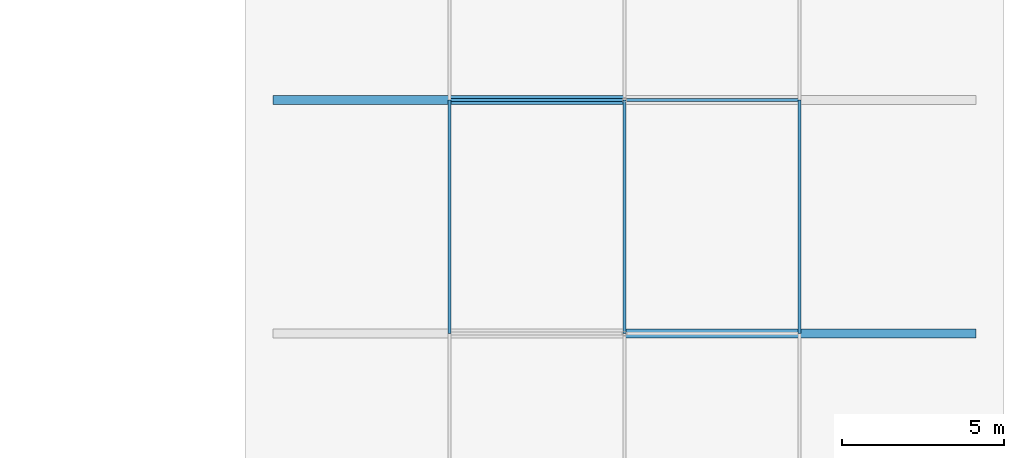
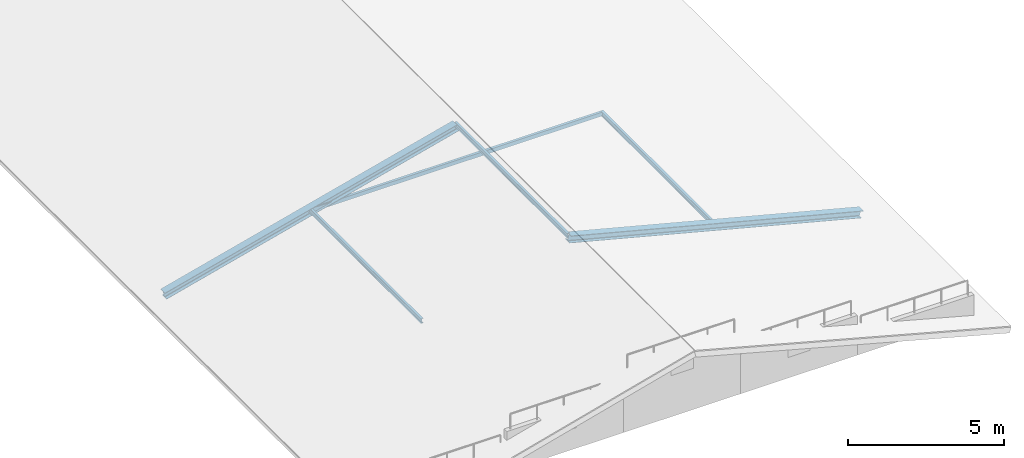
# One storey, part 11 of 40: 6 members.
"""IFC4 building model written with IfcOpenShell, lengths in metres."""

import ifcopenshell
import ifcopenshell.guid

model = None  # the IFC model being written
_history = None  # IfcOwnerHistory: only IFC2X3 demands one
_inside = {}  # id of a spatial element -> (the spatial element, [elements in it])
_under = {}  # id of a project, library or spatial element -> (it, [spatial elements below it])
_declared = {}  # id of a project -> (the project, [libraries it declares])
_typed = {}  # id of a type object -> (the type object, [elements of that type])
_made_of = {}  # id of a material, layer set ... -> (it, [elements and type objects made of it])


def new_model(schema):
    """Start an empty IFC model of exactly this schema.

    Asked for "IFC4X3", IfcOpenShell would pick the latest addendum, in which some entities
    have other attributes; the version numbers below select the first issue.
    IFC2X3 requires an IfcOwnerHistory on every rooted entity: one is made here for all.
    """
    global model, _history
    if schema == "IFC4X3":
        model = ifcopenshell.file(schema_version=(4, 3, 0, 0))
    else:
        model = ifcopenshell.file(schema=schema)
    _inside.clear()
    _under.clear()
    _declared.clear()
    _typed.clear()
    _made_of.clear()
    _history = None
    if model.schema == "IFC2X3":
        org = make("IfcOrganization", Name="unknown")
        user = make(
            "IfcPersonAndOrganization",
            ThePerson=make("IfcPerson", FamilyName="unknown"),
            TheOrganization=org,
        )
        app = make(
            "IfcApplication",
            ApplicationDeveloper=org,
            Version="unknown",
            ApplicationFullName="unknown",
            ApplicationIdentifier="unknown",
        )
        _history = make(
            "IfcOwnerHistory",
            OwningUser=user,
            OwningApplication=app,
            ChangeAction="ADDED",
            CreationDate=0,
        )
    return model


def make(cls, **values):
    """One entity of the class cls with the attributes given. An attribute that is None is left unset."""
    return model.create_entity(
        cls, **{name: value for name, value in values.items() if value is not None}
    )


def rooted(cls, **values):
    """An entity with a GlobalId (a new one), such as an element, a storey or a relation."""
    return make(cls, GlobalId=ifcopenshell.guid.new(), OwnerHistory=_history, **values)


def si_unit(unit_type, name, prefix=None):
    """IfcSIUnit, for example si_unit("LENGTHUNIT", "METRE", prefix="MILLI")."""
    return make("IfcSIUnit", UnitType=unit_type, Prefix=prefix, Name=name)


def assignment(units):
    """IfcUnitAssignment: the units of a project."""
    return None if units is None else make("IfcUnitAssignment", Units=units)


def point(xyz):
    """IfcCartesianPoint."""
    return None if xyz is None else make("IfcCartesianPoint", Coordinates=xyz)


def direction(xyz):
    """IfcDirection."""
    return None if xyz is None else make("IfcDirection", DirectionRatios=xyz)


def frame(location, z_axis=None, x_axis=None):
    """IfcAxis2Placement3D, a coordinate frame: its origin and axes. An axis left out is left unset."""
    return make(
        "IfcAxis2Placement3D",
        Location=point(location),
        Axis=direction(z_axis),
        RefDirection=direction(x_axis),
    )


def frame_2d(location, x_axis=None):
    """IfcAxis2Placement2D, a coordinate frame in the plane: its origin and x axis."""
    return make(
        "IfcAxis2Placement2D", Location=point(location), RefDirection=direction(x_axis)
    )


def origin():
    """The frame at (0, 0, 0) with its axes left unset."""
    return frame((0.0, 0.0, 0.0))


def origin_2d():
    """The frame at (0, 0) in the plane with its x axis left unset."""
    return frame_2d((0.0, 0.0))


def place(relative_to, where):
    """IfcLocalPlacement: puts the frame where relative to a parent placement (None: the world)."""
    return make(
        "IfcLocalPlacement", PlacementRelTo=relative_to, RelativePlacement=where
    )


def context(
    kind, dimensions, precision=None, world=None, true_north=None, identifier=None
):
    """IfcGeometricRepresentationContext, for example the 3D "Model" context."""
    return make(
        "IfcGeometricRepresentationContext",
        ContextIdentifier=identifier,
        ContextType=kind,
        CoordinateSpaceDimension=dimensions,
        Precision=precision,
        WorldCoordinateSystem=world,
        TrueNorth=true_north,
    )


def subcontext(parent, identifier, kind, view, scale=None):
    """IfcGeometricRepresentationSubContext, for example "Body" below "Model"."""
    return make(
        "IfcGeometricRepresentationSubContext",
        ContextIdentifier=identifier,
        ContextType=kind,
        ParentContext=parent,
        TargetScale=scale,
        TargetView=view,
    )


def project(units=None, contexts=None):
    """IfcProject with its units and contexts."""
    return rooted(
        "IfcProject",
        Name="project",
        RepresentationContexts=contexts,
        UnitsInContext=assignment(units),
    )


def spatial(cls, under=None, at=None, **own):
    """A site, building, storey or space (cls), placed at a placement, below another one or the project."""
    s = rooted(cls, ObjectPlacement=at, **own)
    if under is not None:
        _under.setdefault(under.id(), (under, []))[1].append(s)
    return s


def profile(cls, at=None, kind="AREA", **sizes):
    """A parametric profile (cls). Its sizes go by their IFC names, for example OverallWidth=200.0."""
    return make(cls, ProfileType=kind, Position=at, **sizes)


def hollow_rectangle(**sizes):
    """IfcRectangleHollowProfileDef."""
    return profile("IfcRectangleHollowProfileDef", **sizes)


def i_section(**sizes):
    """IfcIShapeProfileDef."""
    return profile("IfcIShapeProfileDef", **sizes)


def extrude(swept, where, along, depth):
    """IfcExtrudedAreaSolid: the profile swept, set in the frame where, extruded along a direction by depth."""
    return make(
        "IfcExtrudedAreaSolid",
        SweptArea=swept,
        Position=where,
        ExtrudedDirection=direction(along),
        Depth=depth,
    )


def shape(context_of_items, identifier, shape_type, items):
    """IfcShapeRepresentation: the items that make up one representation, for example the "Body"."""
    return make(
        "IfcShapeRepresentation",
        ContextOfItems=context_of_items,
        RepresentationIdentifier=identifier,
        RepresentationType=shape_type,
        Items=items,
    )


def material(Name=None, Category=None):
    """IfcMaterial."""
    return make("IfcMaterial", Name=Name, Category=Category)


def material_profile(
    of_material, cross_section, Name=None, Category=None, Priority=None
):
    """IfcMaterialProfile: a cross section and its material."""
    return make(
        "IfcMaterialProfile",
        Name=Name,
        Material=of_material,
        Profile=cross_section,
        Priority=Priority,
        Category=Category,
    )


def profile_set(profiles, Name=None, composite=None):
    """IfcMaterialProfileSet."""
    return make(
        "IfcMaterialProfileSet",
        Name=Name,
        MaterialProfiles=profiles,
        CompositeProfile=composite,
    )


def made_of(thing, what):
    """Note that an element or type object is made of a material, layer set ...; save() writes the relation."""
    if what is not None:
        _made_of.setdefault(what.id(), (what, []))[1].append(thing)
    return thing


def type_object(cls, material=None, **own):
    """A type object (cls), such as IfcWallType, which elements share."""
    return made_of(rooted(cls, **own), material)


def element(
    cls,
    number,
    at=None,
    inside=None,
    cuts=None,
    type_object=None,
    material=None,
    context=None,
    identifier="Body",
    shape_type=None,
    held_by="IfcProductDefinitionShape",
    body=None,
    shapes=None,
    **own,
):
    """One element of the class cls, such as IfcWall. Its Tag is "e" and its number.

    at: its placement. inside: the storey or other place that contains it. cuts: it is an
    opening in that element (IfcRelVoidsElement). A single representation is given by context,
    identifier, shape_type and body (its items); several are given by shapes. held_by: the class
    of the entity that holds the representations. save() writes the other relations.
    """
    e = rooted(cls, Tag="e%d" % number, ObjectPlacement=at, **own)
    if body is not None:
        shapes = [shape(context, identifier, shape_type, body)]
    if shapes is not None:
        e.Representation = make(held_by, Representations=shapes)
    if inside is not None:
        _inside.setdefault(inside.id(), (inside, []))[1].append(e)
    if cuts is not None:
        rooted(
            "IfcRelVoidsElement", RelatingBuildingElement=cuts, RelatedOpeningElement=e
        )
    if type_object is not None:
        _typed.setdefault(type_object.id(), (type_object, []))[1].append(e)
    return made_of(e, material)


def aggregate(whole, parts):
    """IfcRelAggregates: a whole, such as a stair, and the parts it consists of."""
    return rooted("IfcRelAggregates", RelatingObject=whole, RelatedObjects=parts)


def save(model, path):
    """Write the relations noted so far, then the file.

    IfcRelAggregates (storeys below a building ...), IfcRelContainedInSpatialStructure (elements
    in a storey), IfcRelDefinesByType, IfcRelAssociatesMaterial and IfcRelDeclares: one each for
    every whole, place, type object, material and project.
    """
    for whole, parts in _under.values():
        aggregate(whole, parts)
    for where, things in _inside.values():
        rooted(
            "IfcRelContainedInSpatialStructure",
            RelatedElements=things,
            RelatingStructure=where,
        )
    for kind, things in _typed.values():
        rooted("IfcRelDefinesByType", RelatedObjects=things, RelatingType=kind)
    for what, things in _made_of.values():
        rooted("IfcRelAssociatesMaterial", RelatedObjects=things, RelatingMaterial=what)
    for by, libraries in _declared.values():
        rooted("IfcRelDeclares", RelatingContext=by, RelatedDefinitions=libraries)
    model.write(path)


model = new_model("IFC4")

# Units and contexts
model_context = context("Model", 3, precision=1e-05, world=origin(), true_north=direction((0.0, 1.0)))
body_context = subcontext(model_context, "Body", "Model", "MODEL_VIEW")
ifc_project = project(units=[si_unit("LENGTHUNIT", "METRE"), si_unit("AREAUNIT", "SQUARE_METRE"), si_unit("VOLUMEUNIT", "CUBIC_METRE"), si_unit("PLANEANGLEUNIT", "RADIAN"), si_unit("MASSUNIT", "GRAM", prefix="KILO"), si_unit("THERMODYNAMICTEMPERATUREUNIT", "KELVIN"), si_unit("POWERUNIT", "WATT")], contexts=[model_context])

# Site, building, storey
site_placement = place(None, origin())
site = spatial("IfcSite", under=ifc_project, at=site_placement, CompositionType="ELEMENT")
building_placement = place(site_placement, origin())
building = spatial("IfcBuilding", under=site, at=building_placement, Name="Tavuni Mirador Residences", CompositionType="ELEMENT")
storey_placement = place(building_placement, frame((0.0, 0.0, 36.0)))
storey = spatial("IfcBuildingStorey", under=building, at=storey_placement, Name="L11", CompositionType="ELEMENT", Elevation=36.0)

# Members
ifc_material = material(Name="Structural steel S355", Category="steel")
ifc_material_profile_1 = material_profile(ifc_material, hollow_rectangle(XDim=0.10009765625, YDim=0.14990234375, WallThickness=0.008056640625, at=origin_2d()), Name="RHS 150x100x8.0", Category="steel")
ifc_profile_set_1 = profile_set([ifc_material_profile_1], Name="Structural steel S355")
member_type_1 = type_object("IfcMemberType", Name="MT-BR-RHS150", PredefinedType="BRACE", material=ifc_profile_set_1)
member_placement = place(storey_placement, frame((102.60009765625, 100.800048828125, 1.050048828125), z_axis=(1.0, 0.0, 0.0), x_axis=(0.0, 1.0, 0.0)))
element("IfcMember", 1, at=member_placement, inside=storey, type_object=member_type_1, Name="RTIE-BLK-D-02", PredefinedType="BRACE", context=body_context, shape_type="SweptSolid", body=[
    extrude(hollow_rectangle(XDim=0.10009765625, YDim=0.14990234375, WallThickness=0.008056640625, at=origin_2d()), origin(), (0.0, 0.0, 1.0), 10.7998046875),
])
ifc_material_profile_2 = material_profile(ifc_material, i_section(OverallWidth=0.280029296875, OverallDepth=0.27001953125, WebThickness=0.008056640625, FlangeThickness=0.012939453125, FilletRadius=0.02392578125, at=origin_2d()), Name="HEA 280", Category="steel")
ifc_profile_set_2 = profile_set([ifc_material_profile_2], Name="Structural steel S355")
member_type_2 = type_object("IfcMemberType", Name="MT-CH-HEA280", PredefinedType="CHORD", material=ifc_profile_set_2)
for number, where, z_axis, x_axis, name in (
    (2, (108.0, 93.60009765625, 2.449951171875), (0.967996110632, 0.0, -0.250965196393), (0.0, 1.0, 0.0), "RAF-BLK-D-01-E"),
    (3, (97.199951171875, 100.800048828125, -0.35009765625), (0.967996110632, 0.0, 0.250965196393), (0.0, 1.0, 0.0), "RAF-BLK-D-02-W"),
):
    element("IfcMember", number, at=place(storey_placement, frame(where, z_axis=z_axis, x_axis=x_axis)), inside=storey, type_object=member_type_2, Name=name, PredefinedType="CHORD", context=body_context, shape_type="SweptSolid", body=[
        extrude(i_section(OverallWidth=0.280029296875, OverallDepth=0.27001953125, WebThickness=0.008056640625, FlangeThickness=0.012939453125, FilletRadius=0.02392578125, at=origin_2d()), origin(), (0.0, 0.0, 1.0), 11.1572265625),
    ])
ifc_material_profile_3 = material_profile(ifc_material, i_section(OverallWidth=0.091064453125, OverallDepth=0.179931640625, WebThickness=0.00537109375, FlangeThickness=0.008056640625, FilletRadius=0.009033203125, at=origin_2d()), Name="IPE 180", Category="steel")
ifc_profile_set_3 = profile_set([ifc_material_profile_3], Name="Structural steel S355")
member_type_3 = type_object("IfcMemberType", Name="MT-PR-IPE180", PredefinedType="PURLIN", material=ifc_profile_set_3)
for number, where, z_axis, x_axis, name in (
    (4, (102.60009765625, 93.60009765625, 1.074951171875), (0.0, 1.0, 0.0), (-1.0, 0.0, 0.0), "RPUR-BLK-D-25-01"),
    (5, (108.0, 93.60009765625, 2.52490234375), (0.0, 1.0, 0.0), (-1.0, 0.0, 0.0), "RPUR-BLK-D-50-01"),
    (6, (113.39990234375, 93.60009765625, 1.074951171875), (0.0, 1.0, 0.0), (-1.0, 0.0, 0.0), "RPUR-BLK-D-75-01"),
):
    element("IfcMember", number, at=place(storey_placement, frame(where, z_axis=z_axis, x_axis=x_axis)), inside=storey, type_object=member_type_3, Name=name, PredefinedType="PURLIN", context=body_context, shape_type="SweptSolid", body=[
        extrude(i_section(OverallWidth=0.091064453125, OverallDepth=0.179931640625, WebThickness=0.00537109375, FlangeThickness=0.008056640625, FilletRadius=0.009033203125, at=origin_2d()), origin(), (0.0, 0.0, 1.0), 7.199951171875),
    ])

save(model, "model.ifc")
